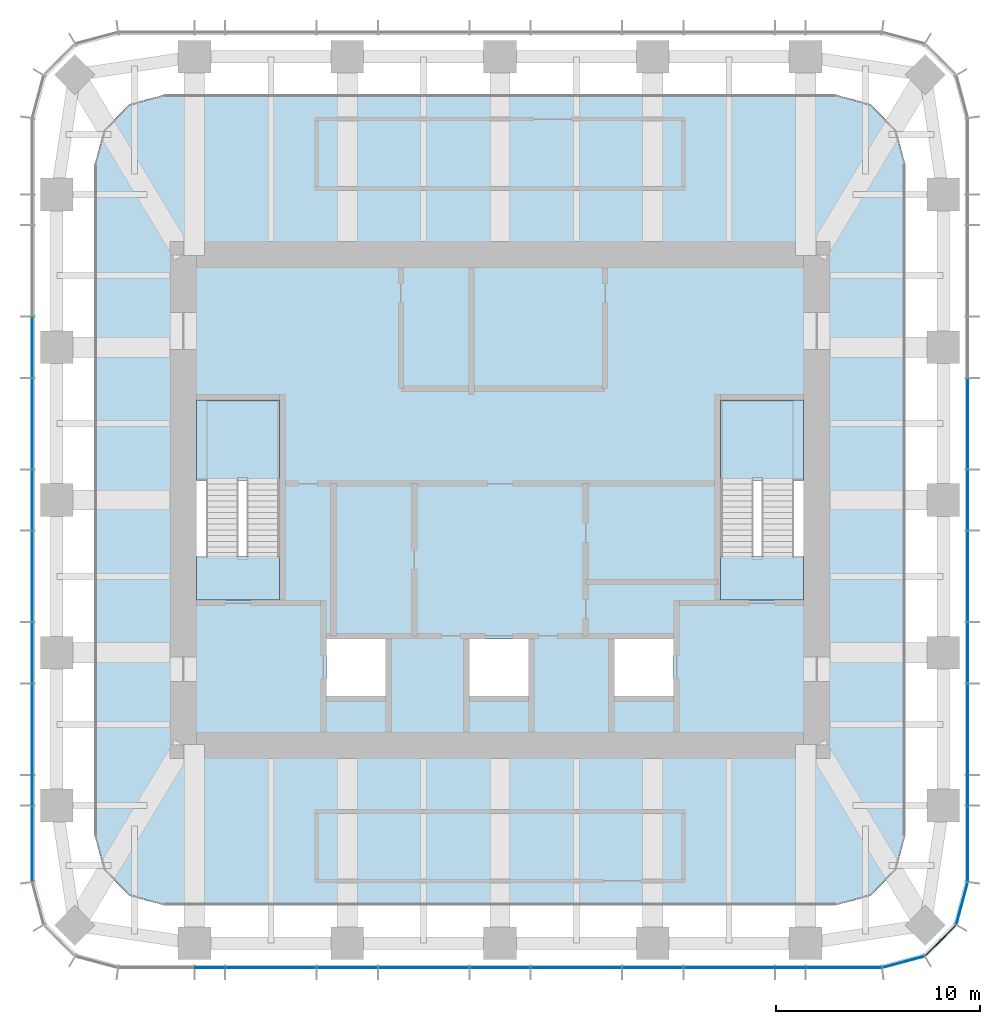
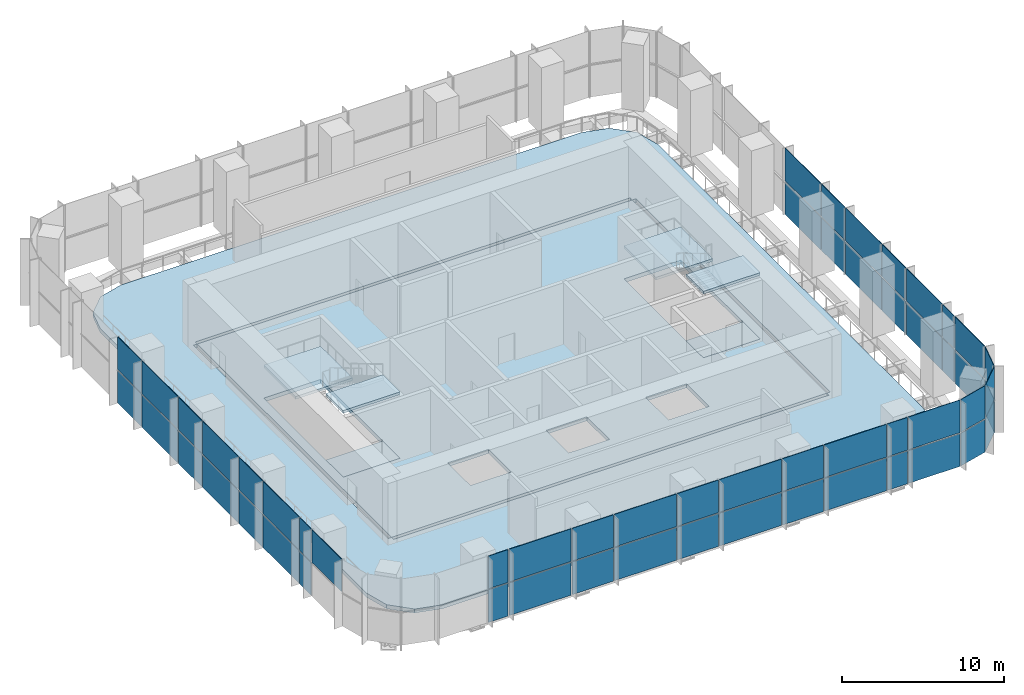
# One storey, part 4 of 10: 55 plates, 8 slabs, 6 elements without a shape of their own.
"""IFC4 building model written with IfcOpenShell, lengths in metres."""

from ifc_helpers import new_model, si_unit, direction, frame, origin, origin_2d, place, context, subcontext, project, spatial, polyline, rectangle, outline, extrude, material, layer, layer_set, type_object, element, aggregate, save


model = new_model("IFC4")

# Units and contexts
model_context = context("Model", 3, precision=1e-05, world=origin(), true_north=direction((0.0, 1.0)))
body_context = subcontext(model_context, "Body", "Model", "MODEL_VIEW")
ifc_project = project(units=[si_unit("LENGTHUNIT", "METRE"), si_unit("AREAUNIT", "SQUARE_METRE"), si_unit("VOLUMEUNIT", "CUBIC_METRE"), si_unit("PLANEANGLEUNIT", "RADIAN"), si_unit("MASSUNIT", "GRAM", prefix="KILO")], contexts=[model_context])

# Site, building, storey
site_placement = place(None, origin())
site = spatial("IfcSite", under=ifc_project, at=site_placement, CompositionType="ELEMENT")
building_placement = place(site_placement, origin())
building = spatial("IfcBuilding", under=site, at=building_placement, Name="Khuree Lantern Residences", CompositionType="ELEMENT")
storey_placement = place(building_placement, frame((0.0, 0.0, 358.25)))
storey = spatial("IfcBuildingStorey", under=building, at=storey_placement, Name="L90", CompositionType="ELEMENT", Elevation=358.25)

# Slabs
ifc_material_1 = material(Name="Concrete C35/45", Category="concrete")
ifc_layer_1 = layer(ifc_material_1, 0.300048828125)
ifc_layer_set_1 = layer_set([ifc_layer_1], Name="CFL300 CORE FLOOR SLAB 300")
slab_type_1 = type_object("IfcSlabType", Name="CFL300 CORE FLOOR SLAB 300", PredefinedType="FLOOR", material=ifc_layer_set_1)
slab_1_placement = place(storey_placement, frame((0.0, 0.0, -0.300048828125)))
element("IfcSlab", 1, at=slab_1_placement, inside=storey, type_object=slab_type_1, Name="Core floor L90", PredefinedType="FLOOR", context=body_context, shape_type="SweptSolid", body=[
    extrude(outline(polyline([(-15.5, -12.0), (-15.5, 12.0), (15.5, 12.0), (15.5, -12.0), (-15.5, -12.0)]), holes=[polyline([(10.800048828125, 4.89990234375), (10.800048828125, -4.89990234375), (14.85009765625, -4.89990234375), (14.85009765625, 4.89990234375), (10.800048828125, 4.89990234375)]), polyline([(5.60009765625, -9.60009765625), (8.5, -9.60009765625), (8.5, -6.800048828125), (5.60009765625, -6.800048828125), (5.60009765625, -9.60009765625)]), polyline([(-1.5, -9.60009765625), (1.39990234375, -9.60009765625), (1.39990234375, -6.800048828125), (-1.5, -6.800048828125), (-1.5, -9.60009765625)]), polyline([(-8.5, -9.60009765625), (-5.60009765625, -9.60009765625), (-5.60009765625, -6.800048828125), (-8.5, -6.800048828125), (-8.5, -9.60009765625)]), polyline([(-14.85009765625, 4.89990234375), (-14.85009765625, -4.89990234375), (-10.800048828125, -4.89990234375), (-10.800048828125, 4.89990234375), (-14.85009765625, 4.89990234375)])]), origin(), (0.0, 0.0, 1.0), 0.300048828125),
])
ifc_layer_2 = layer(ifc_material_1, 0.300048828125)
ifc_layer_set_2 = layer_set([ifc_layer_2], Name="FS300 FLOOR SLAB 300")
slab_type_2 = type_object("IfcSlabType", Name="FS300 FLOOR SLAB 300", PredefinedType="FLOOR", material=ifc_layer_set_2)
slab_2_placement = place(storey_placement, frame((0.0, 0.0, -0.300048828125)))
element("IfcSlab", 2, at=slab_2_placement, inside=storey, type_object=slab_type_2, Name="Floor slab L90", PredefinedType="FLOOR", context=body_context, shape_type="SweptSolid", body=[
    extrude(outline(polyline([(-18.125, -19.3876953125), (-19.3876953125, -18.125), (-19.85009765625, -16.39990234375), (-19.85009765625, 16.39990234375), (-19.3876953125, 18.125), (-18.125, 19.3876953125), (-16.39990234375, 19.85009765625), (16.39990234375, 19.85009765625), (18.125, 19.3876953125), (19.3876953125, 18.125), (19.85009765625, 16.39990234375), (19.85009765625, -16.39990234375), (19.3876953125, -18.125), (18.125, -19.3876953125), (16.39990234375, -19.85009765625), (-16.39990234375, -19.85009765625), (-18.125, -19.3876953125)]), holes=[polyline([(15.75, 12.0), (15.5, 12.0), (15.5, 12.25), (-15.5, 12.25), (-15.5, 12.0), (-15.75, 12.0), (-15.75, -12.0), (-15.5, -12.0), (-15.5, -12.25), (15.5, -12.25), (15.5, -12.0), (15.75, -12.0), (15.75, 12.0)])]), origin(), (0.0, 0.0, 1.0), 0.300048828125),
])

# Curtain wall, plates
ifc_material_2 = material(Name="Bronze anodised aluminium", Category="aluminium")
curtain_wall_type = type_object("IfcCurtainWallType", Name="CW-L LANTERN CROWN CURTAIN WALL", PredefinedType="USERDEFINED", material=ifc_material_2)
curtain_wall_1_placement = place(storey_placement, origin())
curtain_wall_1 = element("IfcCurtainWall", 3, at=curtain_wall_1_placement, inside=storey, type_object=curtain_wall_type, Name="L90 SOUTH-EAST CORNER CURTAIN WALL", ObjectType="Lantern curtain wall", PredefinedType="USERDEFINED")
ifc_material_3 = material(Name="Bronze fritted laminated glass over an insulated spandrel back pan", Category="glass")
ifc_layer_3 = layer(ifc_material_3, 0.0400390625)
ifc_layer_set_3 = layer_set([ifc_layer_3], Name="LANTERN SHADOW BOX PANEL P8")
plate_type = type_object("IfcPlateType", Name="LANTERN SHADOW BOX PANEL P8", PredefinedType="CURTAIN_PANEL", material=ifc_layer_set_3)
plate_1_placement = place(storey_placement, frame((19.748291015625, -22.619140625, 0.0), z_axis=(0.0, 0.0, 1.0), x_axis=(0.965925861257, 0.2588189146, 0.0)))
plate_1 = element("IfcPlate", 4, at=plate_1_placement, type_object=plate_type, Name="L90 SOUTH-EAST CORNER PANEL 1.1", PredefinedType="CURTAIN_PANEL", context=body_context, shape_type="SweptSolid", body=[
    extrude(rectangle(XDim=2.08935546875, YDim=0.0400390625, at=origin_2d()), origin(), (0.0, 0.0, 1.0), 2.46240234375),
])
plate_2_placement = place(storey_placement, frame((19.748291015625, -22.619140625, 2.53759765625), z_axis=(0.0, 0.0, 1.0), x_axis=(0.965925861257, 0.2588189146, 0.0)))
plate_2 = element("IfcPlate", 5, at=plate_2_placement, type_object=plate_type, Name="L90 SOUTH-EAST CORNER PANEL 1.2", PredefinedType="CURTAIN_PANEL", context=body_context, shape_type="SweptSolid", body=[
    extrude(rectangle(XDim=2.08935546875, YDim=0.0400390625, at=origin_2d()), origin(), (0.0, 0.0, 1.0), 2.46240234375),
])
plate_3_placement = place(storey_placement, frame((21.568603515625, -21.568603515625, 0.0), z_axis=(0.0, 0.0, 1.0), x_axis=(0.707106781187, 0.707106781187, 0.0)))
plate_3 = element("IfcPlate", 6, at=plate_3_placement, type_object=plate_type, Name="L90 SOUTH-EAST CORNER PANEL 2.1", PredefinedType="CURTAIN_PANEL", context=body_context, shape_type="SweptSolid", body=[
    extrude(rectangle(XDim=2.085693359375, YDim=0.0400390625, at=origin_2d()), origin(), (0.0, 0.0, 1.0), 2.46240234375),
])
plate_4_placement = place(storey_placement, frame((21.568603515625, -21.568603515625, 2.53759765625), z_axis=(0.0, 0.0, 1.0), x_axis=(0.707106781187, 0.707106781187, 0.0)))
plate_4 = element("IfcPlate", 7, at=plate_4_placement, type_object=plate_type, Name="L90 SOUTH-EAST CORNER PANEL 2.2", PredefinedType="CURTAIN_PANEL", context=body_context, shape_type="SweptSolid", body=[
    extrude(rectangle(XDim=2.085693359375, YDim=0.0400390625, at=origin_2d()), origin(), (0.0, 0.0, 1.0), 2.46240234375),
])
plate_5_placement = place(storey_placement, frame((22.619140625, -19.748291015625, 0.0), z_axis=(0.0, 0.0, 1.0), x_axis=(0.2588189146, 0.965925861257, 0.0)))
plate_5 = element("IfcPlate", 8, at=plate_5_placement, type_object=plate_type, Name="L90 SOUTH-EAST CORNER PANEL 3.1", PredefinedType="CURTAIN_PANEL", context=body_context, shape_type="SweptSolid", body=[
    extrude(rectangle(XDim=2.08935546875, YDim=0.0400390625, at=origin_2d()), origin(), (0.0, 0.0, 1.0), 2.46240234375),
])
plate_6_placement = place(storey_placement, frame((22.619140625, -19.748291015625, 2.53759765625), z_axis=(0.0, 0.0, 1.0), x_axis=(0.2588189146, 0.965925861257, 0.0)))
plate_6 = element("IfcPlate", 9, at=plate_6_placement, type_object=plate_type, Name="L90 SOUTH-EAST CORNER PANEL 3.2", PredefinedType="CURTAIN_PANEL", context=body_context, shape_type="SweptSolid", body=[
    extrude(rectangle(XDim=2.08935546875, YDim=0.0400390625, at=origin_2d()), origin(), (0.0, 0.0, 1.0), 2.46240234375),
])
aggregate(curtain_wall_1, [plate_1, plate_2, plate_3, plate_4, plate_5, plate_6])

curtain_wall_2_placement = place(storey_placement, origin())
curtain_wall_2 = element("IfcCurtainWall", 10, at=curtain_wall_2_placement, inside=storey, type_object=curtain_wall_type, Name="L90 EAST FACE CURTAIN WALL", ObjectType="Lantern curtain wall", PredefinedType="USERDEFINED")
plate_7_placement = place(storey_placement, frame((22.89990234375, -16.82861328125, 0.0), z_axis=(0.0, 0.0, 1.0), x_axis=(0.0, 1.0, 0.0)))
plate_7 = element("IfcPlate", 11, at=plate_7_placement, type_object=plate_type, Name="L90 EAST FACE PANEL 4.1", PredefinedType="CURTAIN_PANEL", context=body_context, shape_type="SweptSolid", body=[
    extrude(rectangle(XDim=3.662109375, YDim=0.0400390625, at=origin_2d()), origin(), (0.0, 0.0, 1.0), 2.46240234375),
])
plate_8_placement = place(storey_placement, frame((22.89990234375, -16.82861328125, 2.53759765625), z_axis=(0.0, 0.0, 1.0), x_axis=(0.0, 1.0, 0.0)))
plate_8 = element("IfcPlate", 12, at=plate_8_placement, type_object=plate_type, Name="L90 EAST FACE PANEL 4.2", PredefinedType="CURTAIN_PANEL", context=body_context, shape_type="SweptSolid", body=[
    extrude(rectangle(XDim=3.662109375, YDim=0.0400390625, at=origin_2d()), origin(), (0.0, 0.0, 1.0), 2.46240234375),
])
plate_9_placement = place(storey_placement, frame((22.89990234375, -14.2119140625, 0.0), z_axis=(0.0, 0.0, 1.0), x_axis=(0.0, 1.0, 0.0)))
plate_9 = element("IfcPlate", 13, at=plate_9_placement, type_object=plate_type, Name="L90 EAST FACE PANEL 5.1", PredefinedType="CURTAIN_PANEL", context=body_context, shape_type="SweptSolid", body=[
    extrude(rectangle(XDim=1.4208984375, YDim=0.0400390625, at=origin_2d()), origin(), (0.0, 0.0, 1.0), 2.46240234375),
])
plate_10_placement = place(storey_placement, frame((22.89990234375, -14.2119140625, 2.53759765625), z_axis=(0.0, 0.0, 1.0), x_axis=(0.0, 1.0, 0.0)))
plate_10 = element("IfcPlate", 14, at=plate_10_placement, type_object=plate_type, Name="L90 EAST FACE PANEL 5.2", PredefinedType="CURTAIN_PANEL", context=body_context, shape_type="SweptSolid", body=[
    extrude(rectangle(XDim=1.4208984375, YDim=0.0400390625, at=origin_2d()), origin(), (0.0, 0.0, 1.0), 2.46240234375),
])
plate_11_placement = place(storey_placement, frame((22.89990234375, -11.219970703125, 0.0), z_axis=(0.0, 0.0, 1.0), x_axis=(0.0, 1.0, 0.0)))
plate_11 = element("IfcPlate", 15, at=plate_11_placement, type_object=plate_type, Name="L90 EAST FACE PANEL 6.1", PredefinedType="CURTAIN_PANEL", context=body_context, shape_type="SweptSolid", body=[
    extrude(rectangle(XDim=4.4130859375, YDim=0.0400390625, at=origin_2d()), origin(), (0.0, 0.0, 1.0), 2.46240234375),
])
plate_12_placement = place(storey_placement, frame((22.89990234375, -11.219970703125, 2.53759765625), z_axis=(0.0, 0.0, 1.0), x_axis=(0.0, 1.0, 0.0)))
plate_12 = element("IfcPlate", 16, at=plate_12_placement, type_object=plate_type, Name="L90 EAST FACE PANEL 6.2", PredefinedType="CURTAIN_PANEL", context=body_context, shape_type="SweptSolid", body=[
    extrude(rectangle(XDim=4.4130859375, YDim=0.0400390625, at=origin_2d()), origin(), (0.0, 0.0, 1.0), 2.46240234375),
])
plate_13_placement = place(storey_placement, frame((22.89990234375, -7.47998046875, 0.0), z_axis=(0.0, 0.0, 1.0), x_axis=(0.0, 1.0, 0.0)))
plate_13 = element("IfcPlate", 17, at=plate_13_placement, type_object=plate_type, Name="L90 EAST FACE PANEL 7.1", PredefinedType="CURTAIN_PANEL", context=body_context, shape_type="SweptSolid", body=[
    extrude(rectangle(XDim=2.9169921875, YDim=0.0400390625, at=origin_2d()), origin(), (0.0, 0.0, 1.0), 2.46240234375),
])
plate_14_placement = place(storey_placement, frame((22.89990234375, -7.47998046875, 2.53759765625), z_axis=(0.0, 0.0, 1.0), x_axis=(0.0, 1.0, 0.0)))
plate_14 = element("IfcPlate", 18, at=plate_14_placement, type_object=plate_type, Name="L90 EAST FACE PANEL 7.2", PredefinedType="CURTAIN_PANEL", context=body_context, shape_type="SweptSolid", body=[
    extrude(rectangle(XDim=2.9169921875, YDim=0.0400390625, at=origin_2d()), origin(), (0.0, 0.0, 1.0), 2.46240234375),
])
plate_15_placement = place(storey_placement, frame((22.89990234375, -3.739990234375, 0.0), z_axis=(0.0, 0.0, 1.0), x_axis=(0.0, 1.0, 0.0)))
plate_15 = element("IfcPlate", 19, at=plate_15_placement, type_object=plate_type, Name="L90 EAST FACE PANEL 8.1", PredefinedType="CURTAIN_PANEL", context=body_context, shape_type="SweptSolid", body=[
    extrude(rectangle(XDim=4.4130859375, YDim=0.0400390625, at=origin_2d()), origin(), (0.0, 0.0, 1.0), 2.46240234375),
])
plate_16_placement = place(storey_placement, frame((22.89990234375, -3.739990234375, 2.53759765625), z_axis=(0.0, 0.0, 1.0), x_axis=(0.0, 1.0, 0.0)))
plate_16 = element("IfcPlate", 20, at=plate_16_placement, type_object=plate_type, Name="L90 EAST FACE PANEL 8.2", PredefinedType="CURTAIN_PANEL", context=body_context, shape_type="SweptSolid", body=[
    extrude(rectangle(XDim=4.4130859375, YDim=0.0400390625, at=origin_2d()), origin(), (0.0, 0.0, 1.0), 2.46240234375),
])
plate_17_placement = place(storey_placement, frame((22.89990234375, 0.0, 0.0), z_axis=(0.0, 0.0, 1.0), x_axis=(0.0, 1.0, 0.0)))
plate_17 = element("IfcPlate", 21, at=plate_17_placement, type_object=plate_type, Name="L90 EAST FACE PANEL 9.1", PredefinedType="CURTAIN_PANEL", context=body_context, shape_type="SweptSolid", body=[
    extrude(rectangle(XDim=2.9169921875, YDim=0.0400390625, at=origin_2d()), origin(), (0.0, 0.0, 1.0), 2.46240234375),
])
plate_18_placement = place(storey_placement, frame((22.89990234375, 0.0, 2.53759765625), z_axis=(0.0, 0.0, 1.0), x_axis=(0.0, 1.0, 0.0)))
plate_18 = element("IfcPlate", 22, at=plate_18_placement, type_object=plate_type, Name="L90 EAST FACE PANEL 9.2", PredefinedType="CURTAIN_PANEL", context=body_context, shape_type="SweptSolid", body=[
    extrude(rectangle(XDim=2.9169921875, YDim=0.0400390625, at=origin_2d()), origin(), (0.0, 0.0, 1.0), 2.46240234375),
])
plate_19_placement = place(storey_placement, frame((22.89990234375, 3.739990234375, 0.0), z_axis=(0.0, 0.0, 1.0), x_axis=(0.0, 1.0, 0.0)))
plate_19 = element("IfcPlate", 23, at=plate_19_placement, type_object=plate_type, Name="L90 EAST FACE PANEL 10.1", PredefinedType="CURTAIN_PANEL", context=body_context, shape_type="SweptSolid", body=[
    extrude(rectangle(XDim=4.4130859375, YDim=0.0400390625, at=origin_2d()), origin(), (0.0, 0.0, 1.0), 2.46240234375),
])
plate_20_placement = place(storey_placement, frame((22.89990234375, 3.739990234375, 2.53759765625), z_axis=(0.0, 0.0, 1.0), x_axis=(0.0, 1.0, 0.0)))
plate_20 = element("IfcPlate", 24, at=plate_20_placement, type_object=plate_type, Name="L90 EAST FACE PANEL 10.2", PredefinedType="CURTAIN_PANEL", context=body_context, shape_type="SweptSolid", body=[
    extrude(rectangle(XDim=4.4130859375, YDim=0.0400390625, at=origin_2d()), origin(), (0.0, 0.0, 1.0), 2.46240234375),
])
aggregate(curtain_wall_2, [plate_7, plate_8, plate_9, plate_10, plate_11, plate_12, plate_13, plate_14, plate_15, plate_16, plate_17, plate_18, plate_19, plate_20])

curtain_wall_3_placement = place(storey_placement, origin())
curtain_wall_3 = element("IfcCurtainWall", 25, at=curtain_wall_3_placement, inside=storey, type_object=curtain_wall_type, Name="L90 WEST FACE CURTAIN WALL", ObjectType="Lantern curtain wall", PredefinedType="USERDEFINED")
plate_21_placement = place(storey_placement, frame((-22.89990234375, 7.47998046875, 0.0), z_axis=(0.0, 0.0, 1.0), x_axis=(0.0, -1.0, 0.0)))
plate_21 = element("IfcPlate", 26, at=plate_21_placement, type_object=plate_type, Name="L90 WEST FACE PANEL 35.1", PredefinedType="CURTAIN_PANEL", context=body_context, shape_type="SweptSolid", body=[
    extrude(rectangle(XDim=2.9169921875, YDim=0.0400390625, at=origin_2d()), origin(), (0.0, 0.0, 1.0), 2.46240234375),
])
plate_22_placement = place(storey_placement, frame((-22.89990234375, 7.47998046875, 2.53759765625), z_axis=(0.0, 0.0, 1.0), x_axis=(0.0, -1.0, 0.0)))
plate_22 = element("IfcPlate", 27, at=plate_22_placement, type_object=plate_type, Name="L90 WEST FACE PANEL 35.2", PredefinedType="CURTAIN_PANEL", context=body_context, shape_type="SweptSolid", body=[
    extrude(rectangle(XDim=2.9169921875, YDim=0.0400390625, at=origin_2d()), origin(), (0.0, 0.0, 1.0), 2.46240234375),
])
plate_23_placement = place(storey_placement, frame((-22.89990234375, 3.739990234375, 0.0), z_axis=(0.0, 0.0, 1.0), x_axis=(0.0, -1.0, 0.0)))
plate_23 = element("IfcPlate", 28, at=plate_23_placement, type_object=plate_type, Name="L90 WEST FACE PANEL 36.1", PredefinedType="CURTAIN_PANEL", context=body_context, shape_type="SweptSolid", body=[
    extrude(rectangle(XDim=4.4130859375, YDim=0.0400390625, at=origin_2d()), origin(), (0.0, 0.0, 1.0), 2.46240234375),
])
plate_24_placement = place(storey_placement, frame((-22.89990234375, 3.739990234375, 2.53759765625), z_axis=(0.0, 0.0, 1.0), x_axis=(0.0, -1.0, 0.0)))
plate_24 = element("IfcPlate", 29, at=plate_24_placement, type_object=plate_type, Name="L90 WEST FACE PANEL 36.2", PredefinedType="CURTAIN_PANEL", context=body_context, shape_type="SweptSolid", body=[
    extrude(rectangle(XDim=4.4130859375, YDim=0.0400390625, at=origin_2d()), origin(), (0.0, 0.0, 1.0), 2.46240234375),
])
plate_25_placement = place(storey_placement, frame((-22.89990234375, 0.0, 0.0), z_axis=(0.0, 0.0, 1.0), x_axis=(0.0, -1.0, 0.0)))
plate_25 = element("IfcPlate", 30, at=plate_25_placement, type_object=plate_type, Name="L90 WEST FACE PANEL 37.1", PredefinedType="CURTAIN_PANEL", context=body_context, shape_type="SweptSolid", body=[
    extrude(rectangle(XDim=2.9169921875, YDim=0.0400390625, at=origin_2d()), origin(), (0.0, 0.0, 1.0), 2.46240234375),
])
plate_26_placement = place(storey_placement, frame((-22.89990234375, 0.0, 2.53759765625), z_axis=(0.0, 0.0, 1.0), x_axis=(0.0, -1.0, 0.0)))
plate_26 = element("IfcPlate", 31, at=plate_26_placement, type_object=plate_type, Name="L90 WEST FACE PANEL 37.2", PredefinedType="CURTAIN_PANEL", context=body_context, shape_type="SweptSolid", body=[
    extrude(rectangle(XDim=2.9169921875, YDim=0.0400390625, at=origin_2d()), origin(), (0.0, 0.0, 1.0), 2.46240234375),
])
plate_27_placement = place(storey_placement, frame((-22.89990234375, -3.739990234375, 0.0), z_axis=(0.0, 0.0, 1.0), x_axis=(0.0, -1.0, 0.0)))
plate_27 = element("IfcPlate", 32, at=plate_27_placement, type_object=plate_type, Name="L90 WEST FACE PANEL 38.1", PredefinedType="CURTAIN_PANEL", context=body_context, shape_type="SweptSolid", body=[
    extrude(rectangle(XDim=4.4130859375, YDim=0.0400390625, at=origin_2d()), origin(), (0.0, 0.0, 1.0), 2.46240234375),
])
plate_28_placement = place(storey_placement, frame((-22.89990234375, -3.739990234375, 2.53759765625), z_axis=(0.0, 0.0, 1.0), x_axis=(0.0, -1.0, 0.0)))
plate_28 = element("IfcPlate", 33, at=plate_28_placement, type_object=plate_type, Name="L90 WEST FACE PANEL 38.2", PredefinedType="CURTAIN_PANEL", context=body_context, shape_type="SweptSolid", body=[
    extrude(rectangle(XDim=4.4130859375, YDim=0.0400390625, at=origin_2d()), origin(), (0.0, 0.0, 1.0), 2.46240234375),
])
plate_29_placement = place(storey_placement, frame((-22.89990234375, -7.47998046875, 0.0), z_axis=(0.0, 0.0, 1.0), x_axis=(0.0, -1.0, 0.0)))
plate_29 = element("IfcPlate", 34, at=plate_29_placement, type_object=plate_type, Name="L90 WEST FACE PANEL 39.1", PredefinedType="CURTAIN_PANEL", context=body_context, shape_type="SweptSolid", body=[
    extrude(rectangle(XDim=2.9169921875, YDim=0.0400390625, at=origin_2d()), origin(), (0.0, 0.0, 1.0), 2.46240234375),
])
plate_30_placement = place(storey_placement, frame((-22.89990234375, -7.47998046875, 2.53759765625), z_axis=(0.0, 0.0, 1.0), x_axis=(0.0, -1.0, 0.0)))
plate_30 = element("IfcPlate", 35, at=plate_30_placement, type_object=plate_type, Name="L90 WEST FACE PANEL 39.2", PredefinedType="CURTAIN_PANEL", context=body_context, shape_type="SweptSolid", body=[
    extrude(rectangle(XDim=2.9169921875, YDim=0.0400390625, at=origin_2d()), origin(), (0.0, 0.0, 1.0), 2.46240234375),
])
plate_31_placement = place(storey_placement, frame((-22.89990234375, -11.219970703125, 0.0), z_axis=(0.0, 0.0, 1.0), x_axis=(0.0, -1.0, 0.0)))
plate_31 = element("IfcPlate", 36, at=plate_31_placement, type_object=plate_type, Name="L90 WEST FACE PANEL 40.1", PredefinedType="CURTAIN_PANEL", context=body_context, shape_type="SweptSolid", body=[
    extrude(rectangle(XDim=4.4130859375, YDim=0.0400390625, at=origin_2d()), origin(), (0.0, 0.0, 1.0), 2.46240234375),
])
plate_32_placement = place(storey_placement, frame((-22.89990234375, -11.219970703125, 2.53759765625), z_axis=(0.0, 0.0, 1.0), x_axis=(0.0, -1.0, 0.0)))
plate_32 = element("IfcPlate", 37, at=plate_32_placement, type_object=plate_type, Name="L90 WEST FACE PANEL 40.2", PredefinedType="CURTAIN_PANEL", context=body_context, shape_type="SweptSolid", body=[
    extrude(rectangle(XDim=4.4130859375, YDim=0.0400390625, at=origin_2d()), origin(), (0.0, 0.0, 1.0), 2.46240234375),
])
plate_33_placement = place(storey_placement, frame((-22.89990234375, -14.2119140625, 0.0), z_axis=(0.0, 0.0, 1.0), x_axis=(0.0, -1.0, 0.0)))
plate_33 = element("IfcPlate", 38, at=plate_33_placement, type_object=plate_type, Name="L90 WEST FACE PANEL 41.1", PredefinedType="CURTAIN_PANEL", context=body_context, shape_type="SweptSolid", body=[
    extrude(rectangle(XDim=1.4208984375, YDim=0.0400390625, at=origin_2d()), origin(), (0.0, 0.0, 1.0), 2.46240234375),
])
plate_34_placement = place(storey_placement, frame((-22.89990234375, -14.2119140625, 2.53759765625), z_axis=(0.0, 0.0, 1.0), x_axis=(0.0, -1.0, 0.0)))
plate_34 = element("IfcPlate", 39, at=plate_34_placement, type_object=plate_type, Name="L90 WEST FACE PANEL 41.2", PredefinedType="CURTAIN_PANEL", context=body_context, shape_type="SweptSolid", body=[
    extrude(rectangle(XDim=1.4208984375, YDim=0.0400390625, at=origin_2d()), origin(), (0.0, 0.0, 1.0), 2.46240234375),
])
plate_35_placement = place(storey_placement, frame((-22.89990234375, -16.82861328125, 2.53759765625), z_axis=(0.0, 0.0, 1.0), x_axis=(0.0, -1.0, 0.0)))
plate_35 = element("IfcPlate", 40, at=plate_35_placement, type_object=plate_type, Name="L90 WEST FACE PANEL 42.2", PredefinedType="CURTAIN_PANEL", context=body_context, shape_type="SweptSolid", body=[
    extrude(rectangle(XDim=3.662109375, YDim=0.0400390625, at=origin_2d()), origin(), (0.0, 0.0, 1.0), 2.46240234375),
])
aggregate(curtain_wall_3, [plate_21, plate_22, plate_23, plate_24, plate_25, plate_26, plate_27, plate_28, plate_29, plate_30, plate_31, plate_32, plate_33, plate_34, plate_35])

curtain_wall_4_placement = place(storey_placement, origin())
curtain_wall_4 = element("IfcCurtainWall", 41, at=curtain_wall_4_placement, inside=storey, type_object=curtain_wall_type, Name="L90 SOUTH FACE CURTAIN WALL", ObjectType="Lantern curtain wall", PredefinedType="USERDEFINED")
plate_36_placement = place(storey_placement, frame((-14.2119140625, -22.89990234375, 0.0), z_axis=(0.0, 0.0, 1.0), x_axis=(1.0, 0.0, 0.0)))
plate_36 = element("IfcPlate", 42, at=plate_36_placement, type_object=plate_type, Name="L90 SOUTH FACE PANEL 47.1", PredefinedType="CURTAIN_PANEL", context=body_context, shape_type="SweptSolid", body=[
    extrude(rectangle(XDim=1.4208984375, YDim=0.0400390625, at=origin_2d()), origin(), (0.0, 0.0, 1.0), 2.46240234375),
])
plate_37_placement = place(storey_placement, frame((-14.2119140625, -22.89990234375, 2.53759765625), z_axis=(0.0, 0.0, 1.0), x_axis=(1.0, 0.0, 0.0)))
plate_37 = element("IfcPlate", 43, at=plate_37_placement, type_object=plate_type, Name="L90 SOUTH FACE PANEL 47.2", PredefinedType="CURTAIN_PANEL", context=body_context, shape_type="SweptSolid", body=[
    extrude(rectangle(XDim=1.4208984375, YDim=0.0400390625, at=origin_2d()), origin(), (0.0, 0.0, 1.0), 2.46240234375),
])
plate_38_placement = place(storey_placement, frame((-11.219970703125, -22.89990234375, 0.0), z_axis=(0.0, 0.0, 1.0), x_axis=(1.0, 0.0, 0.0)))
plate_38 = element("IfcPlate", 44, at=plate_38_placement, type_object=plate_type, Name="L90 SOUTH FACE PANEL 48.1", PredefinedType="CURTAIN_PANEL", context=body_context, shape_type="SweptSolid", body=[
    extrude(rectangle(XDim=4.4130859375, YDim=0.0400390625, at=origin_2d()), origin(), (0.0, 0.0, 1.0), 2.46240234375),
])
plate_39_placement = place(storey_placement, frame((-11.219970703125, -22.89990234375, 2.53759765625), z_axis=(0.0, 0.0, 1.0), x_axis=(1.0, 0.0, 0.0)))
plate_39 = element("IfcPlate", 45, at=plate_39_placement, type_object=plate_type, Name="L90 SOUTH FACE PANEL 48.2", PredefinedType="CURTAIN_PANEL", context=body_context, shape_type="SweptSolid", body=[
    extrude(rectangle(XDim=4.4130859375, YDim=0.0400390625, at=origin_2d()), origin(), (0.0, 0.0, 1.0), 2.46240234375),
])
plate_40_placement = place(storey_placement, frame((-7.47998046875, -22.89990234375, 0.0), z_axis=(0.0, 0.0, 1.0), x_axis=(1.0, 0.0, 0.0)))
plate_40 = element("IfcPlate", 46, at=plate_40_placement, type_object=plate_type, Name="L90 SOUTH FACE PANEL 49.1", PredefinedType="CURTAIN_PANEL", context=body_context, shape_type="SweptSolid", body=[
    extrude(rectangle(XDim=2.9169921875, YDim=0.0400390625, at=origin_2d()), origin(), (0.0, 0.0, 1.0), 2.46240234375),
])
plate_41_placement = place(storey_placement, frame((-7.47998046875, -22.89990234375, 2.53759765625), z_axis=(0.0, 0.0, 1.0), x_axis=(1.0, 0.0, 0.0)))
plate_41 = element("IfcPlate", 47, at=plate_41_placement, type_object=plate_type, Name="L90 SOUTH FACE PANEL 49.2", PredefinedType="CURTAIN_PANEL", context=body_context, shape_type="SweptSolid", body=[
    extrude(rectangle(XDim=2.9169921875, YDim=0.0400390625, at=origin_2d()), origin(), (0.0, 0.0, 1.0), 2.46240234375),
])
plate_42_placement = place(storey_placement, frame((-3.739990234375, -22.89990234375, 0.0), z_axis=(0.0, 0.0, 1.0), x_axis=(1.0, 0.0, 0.0)))
plate_42 = element("IfcPlate", 48, at=plate_42_placement, type_object=plate_type, Name="L90 SOUTH FACE PANEL 50.1", PredefinedType="CURTAIN_PANEL", context=body_context, shape_type="SweptSolid", body=[
    extrude(rectangle(XDim=4.4130859375, YDim=0.0400390625, at=origin_2d()), origin(), (0.0, 0.0, 1.0), 2.46240234375),
])
plate_43_placement = place(storey_placement, frame((-3.739990234375, -22.89990234375, 2.53759765625), z_axis=(0.0, 0.0, 1.0), x_axis=(1.0, 0.0, 0.0)))
plate_43 = element("IfcPlate", 49, at=plate_43_placement, type_object=plate_type, Name="L90 SOUTH FACE PANEL 50.2", PredefinedType="CURTAIN_PANEL", context=body_context, shape_type="SweptSolid", body=[
    extrude(rectangle(XDim=4.4130859375, YDim=0.0400390625, at=origin_2d()), origin(), (0.0, 0.0, 1.0), 2.46240234375),
])
plate_44_placement = place(storey_placement, frame((0.0, -22.89990234375, 0.0), z_axis=(0.0, 0.0, 1.0), x_axis=(1.0, 0.0, 0.0)))
plate_44 = element("IfcPlate", 50, at=plate_44_placement, type_object=plate_type, Name="L90 SOUTH FACE PANEL 51.1", PredefinedType="CURTAIN_PANEL", context=body_context, shape_type="SweptSolid", body=[
    extrude(rectangle(XDim=2.9169921875, YDim=0.0400390625, at=origin_2d()), origin(), (0.0, 0.0, 1.0), 2.46240234375),
])
plate_45_placement = place(storey_placement, frame((0.0, -22.89990234375, 2.53759765625), z_axis=(0.0, 0.0, 1.0), x_axis=(1.0, 0.0, 0.0)))
plate_45 = element("IfcPlate", 51, at=plate_45_placement, type_object=plate_type, Name="L90 SOUTH FACE PANEL 51.2", PredefinedType="CURTAIN_PANEL", context=body_context, shape_type="SweptSolid", body=[
    extrude(rectangle(XDim=2.9169921875, YDim=0.0400390625, at=origin_2d()), origin(), (0.0, 0.0, 1.0), 2.46240234375),
])
plate_46_placement = place(storey_placement, frame((3.739990234375, -22.89990234375, 0.0), z_axis=(0.0, 0.0, 1.0), x_axis=(1.0, 0.0, 0.0)))
plate_46 = element("IfcPlate", 52, at=plate_46_placement, type_object=plate_type, Name="L90 SOUTH FACE PANEL 52.1", PredefinedType="CURTAIN_PANEL", context=body_context, shape_type="SweptSolid", body=[
    extrude(rectangle(XDim=4.4130859375, YDim=0.0400390625, at=origin_2d()), origin(), (0.0, 0.0, 1.0), 2.46240234375),
])
plate_47_placement = place(storey_placement, frame((3.739990234375, -22.89990234375, 2.53759765625), z_axis=(0.0, 0.0, 1.0), x_axis=(1.0, 0.0, 0.0)))
plate_47 = element("IfcPlate", 53, at=plate_47_placement, type_object=plate_type, Name="L90 SOUTH FACE PANEL 52.2", PredefinedType="CURTAIN_PANEL", context=body_context, shape_type="SweptSolid", body=[
    extrude(rectangle(XDim=4.4130859375, YDim=0.0400390625, at=origin_2d()), origin(), (0.0, 0.0, 1.0), 2.46240234375),
])
plate_48_placement = place(storey_placement, frame((7.47998046875, -22.89990234375, 0.0), z_axis=(0.0, 0.0, 1.0), x_axis=(1.0, 0.0, 0.0)))
plate_48 = element("IfcPlate", 54, at=plate_48_placement, type_object=plate_type, Name="L90 SOUTH FACE PANEL 53.1", PredefinedType="CURTAIN_PANEL", context=body_context, shape_type="SweptSolid", body=[
    extrude(rectangle(XDim=2.9169921875, YDim=0.0400390625, at=origin_2d()), origin(), (0.0, 0.0, 1.0), 2.46240234375),
])
plate_49_placement = place(storey_placement, frame((7.47998046875, -22.89990234375, 2.53759765625), z_axis=(0.0, 0.0, 1.0), x_axis=(1.0, 0.0, 0.0)))
plate_49 = element("IfcPlate", 55, at=plate_49_placement, type_object=plate_type, Name="L90 SOUTH FACE PANEL 53.2", PredefinedType="CURTAIN_PANEL", context=body_context, shape_type="SweptSolid", body=[
    extrude(rectangle(XDim=2.9169921875, YDim=0.0400390625, at=origin_2d()), origin(), (0.0, 0.0, 1.0), 2.46240234375),
])
plate_50_placement = place(storey_placement, frame((11.219970703125, -22.89990234375, 0.0), z_axis=(0.0, 0.0, 1.0), x_axis=(1.0, 0.0, 0.0)))
plate_50 = element("IfcPlate", 56, at=plate_50_placement, type_object=plate_type, Name="L90 SOUTH FACE PANEL 54.1", PredefinedType="CURTAIN_PANEL", context=body_context, shape_type="SweptSolid", body=[
    extrude(rectangle(XDim=4.4130859375, YDim=0.0400390625, at=origin_2d()), origin(), (0.0, 0.0, 1.0), 2.46240234375),
])
plate_51_placement = place(storey_placement, frame((11.219970703125, -22.89990234375, 2.53759765625), z_axis=(0.0, 0.0, 1.0), x_axis=(1.0, 0.0, 0.0)))
plate_51 = element("IfcPlate", 57, at=plate_51_placement, type_object=plate_type, Name="L90 SOUTH FACE PANEL 54.2", PredefinedType="CURTAIN_PANEL", context=body_context, shape_type="SweptSolid", body=[
    extrude(rectangle(XDim=4.4130859375, YDim=0.0400390625, at=origin_2d()), origin(), (0.0, 0.0, 1.0), 2.46240234375),
])
plate_52_placement = place(storey_placement, frame((14.2119140625, -22.89990234375, 0.0), z_axis=(0.0, 0.0, 1.0), x_axis=(1.0, 0.0, 0.0)))
plate_52 = element("IfcPlate", 58, at=plate_52_placement, type_object=plate_type, Name="L90 SOUTH FACE PANEL 55.1", PredefinedType="CURTAIN_PANEL", context=body_context, shape_type="SweptSolid", body=[
    extrude(rectangle(XDim=1.4208984375, YDim=0.0400390625, at=origin_2d()), origin(), (0.0, 0.0, 1.0), 2.46240234375),
])
plate_53_placement = place(storey_placement, frame((14.2119140625, -22.89990234375, 2.53759765625), z_axis=(0.0, 0.0, 1.0), x_axis=(1.0, 0.0, 0.0)))
plate_53 = element("IfcPlate", 59, at=plate_53_placement, type_object=plate_type, Name="L90 SOUTH FACE PANEL 55.2", PredefinedType="CURTAIN_PANEL", context=body_context, shape_type="SweptSolid", body=[
    extrude(rectangle(XDim=1.4208984375, YDim=0.0400390625, at=origin_2d()), origin(), (0.0, 0.0, 1.0), 2.46240234375),
])
plate_54_placement = place(storey_placement, frame((16.82861328125, -22.89990234375, 0.0), z_axis=(0.0, 0.0, 1.0), x_axis=(1.0, 0.0, 0.0)))
plate_54 = element("IfcPlate", 60, at=plate_54_placement, type_object=plate_type, Name="L90 SOUTH FACE PANEL 56.1", PredefinedType="CURTAIN_PANEL", context=body_context, shape_type="SweptSolid", body=[
    extrude(rectangle(XDim=3.662109375, YDim=0.0400390625, at=origin_2d()), origin(), (0.0, 0.0, 1.0), 2.46240234375),
])
plate_55_placement = place(storey_placement, frame((16.82861328125, -22.89990234375, 2.53759765625), z_axis=(0.0, 0.0, 1.0), x_axis=(1.0, 0.0, 0.0)))
plate_55 = element("IfcPlate", 61, at=plate_55_placement, type_object=plate_type, Name="L90 SOUTH FACE PANEL 56.2", PredefinedType="CURTAIN_PANEL", context=body_context, shape_type="SweptSolid", body=[
    extrude(rectangle(XDim=3.662109375, YDim=0.0400390625, at=origin_2d()), origin(), (0.0, 0.0, 1.0), 2.46240234375),
])
aggregate(curtain_wall_4, [plate_36, plate_37, plate_38, plate_39, plate_40, plate_41, plate_42, plate_43, plate_44, plate_45, plate_46, plate_47, plate_48, plate_49, plate_50, plate_51, plate_52, plate_53, plate_54, plate_55])

# Stair, slabs
ifc_material_4 = material(Name="Concrete C40/50", Category="concrete")
stair_type = type_object("IfcStairType", Name="STAIR ST1 HALF TURN 3600", PredefinedType="HALF_TURN_STAIR", material=ifc_material_4)
stair_1_placement = place(storey_placement, origin())
stair_1 = element("IfcStair", 62, at=stair_1_placement, inside=storey, type_object=stair_type, Name="Stair ST1", PredefinedType="HALF_TURN_STAIR")
ifc_layer_4 = layer(ifc_material_4, 0.199951171875)
ifc_layer_set_4 = layer_set([ifc_layer_4], Name="STAIR LANDING SL1 200")
slab_type_3 = type_object("IfcSlabType", Name="STAIR LANDING SL1 200", PredefinedType="LANDING", material=ifc_layer_set_4)
slab_3_placement = place(storey_placement, frame((0.0, 0.0, -0.199951171875)))
slab_3 = element("IfcSlab", 63, at=slab_3_placement, type_object=slab_type_3, Name="ST1 landing 1", PredefinedType="LANDING", context=body_context, shape_type="SweptSolid", body=[
    extrude(outline(polyline([(-14.85009765625, -4.89990234375), (-10.800048828125, -4.89990234375), (-10.800048828125, -2.760009765625), (-14.85009765625, -2.760009765625), (-14.85009765625, -4.89990234375)])), origin(), (0.0, 0.0, 1.0), 0.199951171875),
])
slab_4_placement = place(storey_placement, frame((0.0, 0.0, 2.300048828125)))
slab_4 = element("IfcSlab", 64, at=slab_4_placement, type_object=slab_type_3, Name="ST1 landing 2", PredefinedType="LANDING", context=body_context, shape_type="SweptSolid", body=[
    extrude(outline(polyline([(-14.85009765625, 0.9599609375), (-14.85009765625, 4.89990234375), (-10.800048828125, 4.89990234375), (-10.800048828125, 0.9599609375), (-14.85009765625, 0.9599609375)])), origin(), (0.0, 0.0, 1.0), 0.199951171875),
])
slab_5_placement = place(storey_placement, frame((0.0, 0.0, 4.800048828125)))
slab_5 = element("IfcSlab", 65, at=slab_5_placement, type_object=slab_type_3, Name="ST1 landing 3", PredefinedType="LANDING", context=body_context, shape_type="SweptSolid", body=[
    extrude(outline(polyline([(-14.85009765625, -4.89990234375), (-10.800048828125, -4.89990234375), (-10.800048828125, -2.760009765625), (-14.85009765625, -2.760009765625), (-14.85009765625, -4.89990234375)])), origin(), (0.0, 0.0, 1.0), 0.199951171875),
])
aggregate(stair_1, [slab_3, slab_4, slab_5])

stair_2_placement = place(storey_placement, origin())
stair_2 = element("IfcStair", 66, at=stair_2_placement, inside=storey, type_object=stair_type, Name="Stair ST2", PredefinedType="HALF_TURN_STAIR")
slab_6_placement = place(storey_placement, frame((0.0, 0.0, -0.199951171875)))
slab_6 = element("IfcSlab", 67, at=slab_6_placement, type_object=slab_type_3, Name="ST2 landing 1", PredefinedType="LANDING", context=body_context, shape_type="SweptSolid", body=[
    extrude(outline(polyline([(10.800048828125, -4.89990234375), (14.85009765625, -4.89990234375), (14.85009765625, -2.760009765625), (10.800048828125, -2.760009765625), (10.800048828125, -4.89990234375)])), origin(), (0.0, 0.0, 1.0), 0.199951171875),
])
slab_7_placement = place(storey_placement, frame((0.0, 0.0, 2.300048828125)))
slab_7 = element("IfcSlab", 68, at=slab_7_placement, type_object=slab_type_3, Name="ST2 landing 2", PredefinedType="LANDING", context=body_context, shape_type="SweptSolid", body=[
    extrude(outline(polyline([(14.85009765625, 4.89990234375), (14.85009765625, 0.9599609375), (10.800048828125, 0.9599609375), (10.800048828125, 4.89990234375), (14.85009765625, 4.89990234375)])), origin(), (0.0, 0.0, 1.0), 0.199951171875),
])
slab_8_placement = place(storey_placement, frame((0.0, 0.0, 4.800048828125)))
slab_8 = element("IfcSlab", 69, at=slab_8_placement, type_object=slab_type_3, Name="ST2 landing 3", PredefinedType="LANDING", context=body_context, shape_type="SweptSolid", body=[
    extrude(outline(polyline([(10.800048828125, -4.89990234375), (14.85009765625, -4.89990234375), (14.85009765625, -2.760009765625), (10.800048828125, -2.760009765625), (10.800048828125, -4.89990234375)])), origin(), (0.0, 0.0, 1.0), 0.199951171875),
])
aggregate(stair_2, [slab_6, slab_7, slab_8])

save(model, "model.ifc")
